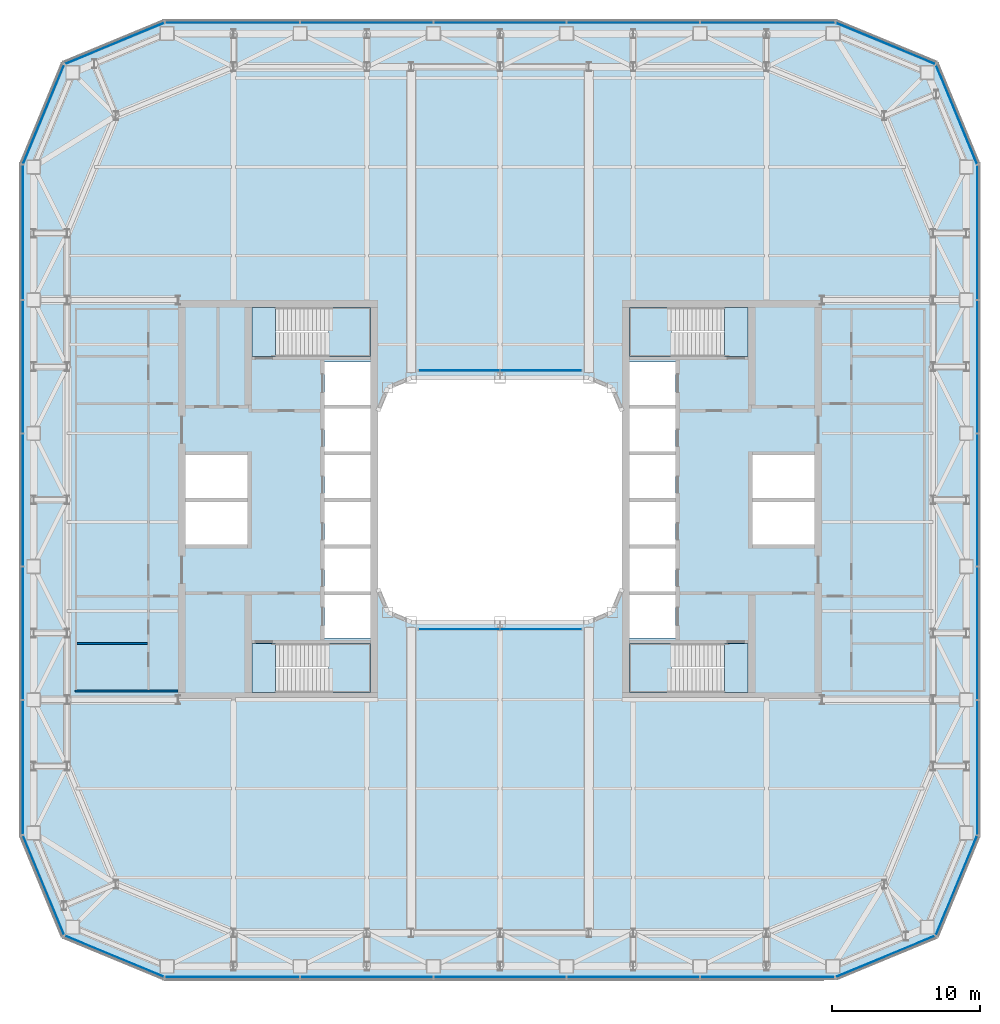
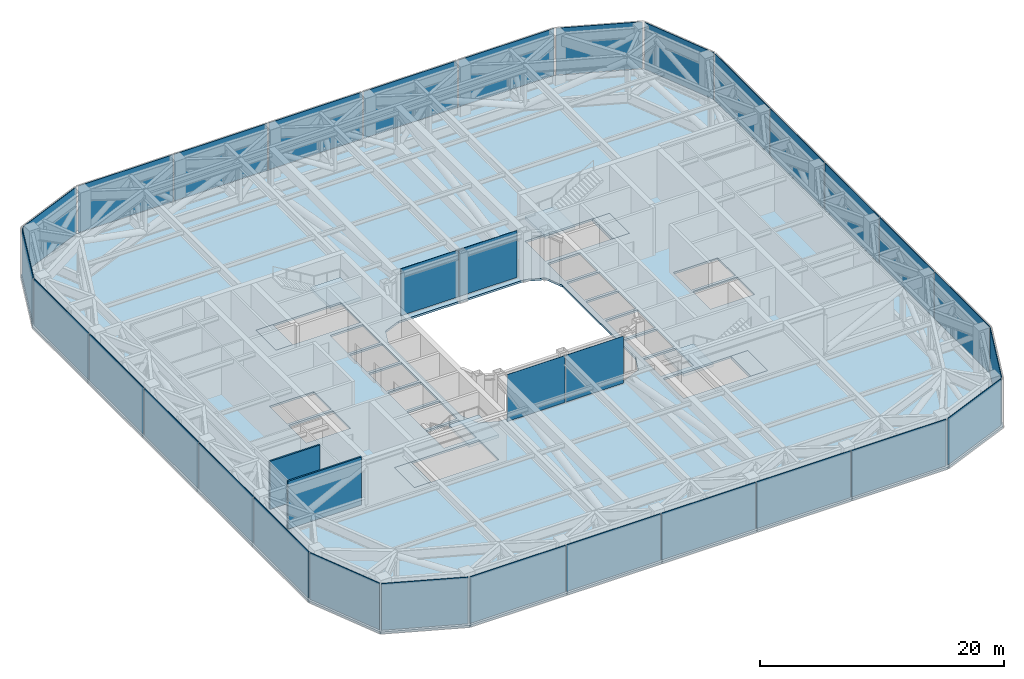
# One storey, part 15 of 33: 32 plates, 9 slabs, 2 walls, 18 elements without a shape of their own.
"""IFC4 building model written with IfcOpenShell, lengths in metres."""

from ifc_helpers import new_model, si_unit, direction, frame, frame_2d, origin, origin_2d, place, context, subcontext, project, spatial, polyline, rectangle, outline, extrude, material, layer, layer_set, type_object, element, aggregate, save


model = new_model("IFC4")

# Units and contexts
model_context = context("Model", 3, precision=1e-05, world=origin(), true_north=direction((0.0, 1.0)))
body_context = subcontext(model_context, "Body", "Model", "MODEL_VIEW")
ifc_project = project(units=[si_unit("LENGTHUNIT", "METRE"), si_unit("AREAUNIT", "SQUARE_METRE"), si_unit("VOLUMEUNIT", "CUBIC_METRE"), si_unit("PLANEANGLEUNIT", "RADIAN"), si_unit("MASSUNIT", "GRAM", prefix="KILO")], contexts=[model_context])

# Site, building, storey
site_placement = place(None, origin())
site = spatial("IfcSite", under=ifc_project, at=site_placement, CompositionType="ELEMENT")
building_placement = place(site_placement, origin())
building = spatial("IfcBuilding", under=site, at=building_placement, Name="Siwar Civic Tower", CompositionType="ELEMENT")
storey_placement = place(building_placement, frame((0.0, 0.0, 94.199951171875)))
storey = spatial("IfcBuildingStorey", under=building, at=storey_placement, Name="L20", CompositionType="ELEMENT", Elevation=94.199951171875)

# Stair, slabs
ifc_material_1 = material(Name="Concrete C40/50", Category="concrete")
stair_type = type_object("IfcStairType", Name="CORE-STAIR", PredefinedType="TWO_STRAIGHT_RUN_STAIR", material=ifc_material_1)
stair_1_placement = place(storey_placement, origin())
stair_1 = element("IfcStair", 1, at=stair_1_placement, inside=storey, type_object=stair_type, Name="Exit stair ST1", PredefinedType="TWO_STRAIGHT_RUN_STAIR")
ifc_material_2 = material(Name="Concrete C40/50", Category="concrete")
ifc_layer_1 = layer(ifc_material_2, 0.300048828125)
ifc_layer_set_1 = layer_set([ifc_layer_1], Name="Concrete C40/50")
slab_type_1 = type_object("IfcSlabType", Name="CORE-STAIR-LANDING", PredefinedType="LANDING", material=ifc_layer_set_1)
slab_1_placement = place(storey_placement, frame((0.0, 0.0, -0.300048828125)))
slab_1 = element("IfcSlab", 2, at=slab_1_placement, type_object=slab_type_1, Name="ST1 landing 1", PredefinedType="LANDING", context=body_context, shape_type="SweptSolid", body=[
    extrude(outline(polyline([(-15.14990234375, 13.0), (-16.75, 13.0), (-16.75, 9.699951171875), (-15.14990234375, 9.699951171875), (-15.14990234375, 13.0)])), origin(), (0.0, 0.0, 1.0), 0.300048828125),
])
slab_2_placement = place(storey_placement, frame((0.0, 0.0, 2.199951171875)))
slab_2 = element("IfcSlab", 3, at=slab_2_placement, type_object=slab_type_1, Name="ST1 landing 2", PredefinedType="LANDING", context=body_context, shape_type="SweptSolid", body=[
    extrude(outline(polyline([(-8.75, 13.0), (-11.580078125, 13.0), (-11.580078125, 9.699951171875), (-8.75, 9.699951171875), (-8.75, 13.0)])), origin(), (0.0, 0.0, 1.0), 0.300048828125),
])
aggregate(stair_1, [slab_1, slab_2])

stair_2_placement = place(storey_placement, origin())
stair_2 = element("IfcStair", 4, at=stair_2_placement, inside=storey, type_object=stair_type, Name="Exit stair ST2", PredefinedType="TWO_STRAIGHT_RUN_STAIR")
slab_3_placement = place(storey_placement, frame((0.0, 0.0, -0.300048828125)))
slab_3 = element("IfcSlab", 5, at=slab_3_placement, type_object=slab_type_1, Name="ST2 landing 1", PredefinedType="LANDING", context=body_context, shape_type="SweptSolid", body=[
    extrude(outline(polyline([(-15.14990234375, -9.699951171875), (-16.75, -9.699951171875), (-16.75, -13.0), (-15.14990234375, -13.0), (-15.14990234375, -9.699951171875)])), origin(), (0.0, 0.0, 1.0), 0.300048828125),
])
slab_4_placement = place(storey_placement, frame((0.0, 0.0, 2.199951171875)))
slab_4 = element("IfcSlab", 6, at=slab_4_placement, type_object=slab_type_1, Name="ST2 landing 2", PredefinedType="LANDING", context=body_context, shape_type="SweptSolid", body=[
    extrude(outline(polyline([(-8.75, -9.699951171875), (-11.580078125, -9.699951171875), (-11.580078125, -13.0), (-8.75, -13.0), (-8.75, -9.699951171875)])), origin(), (0.0, 0.0, 1.0), 0.300048828125),
])
aggregate(stair_2, [slab_3, slab_4])

stair_3_placement = place(storey_placement, origin())
stair_3 = element("IfcStair", 7, at=stair_3_placement, inside=storey, type_object=stair_type, Name="Exit stair ST3", PredefinedType="TWO_STRAIGHT_RUN_STAIR")
slab_5_placement = place(storey_placement, frame((0.0, 0.0, -0.300048828125)))
slab_5 = element("IfcSlab", 8, at=slab_5_placement, type_object=slab_type_1, Name="ST3 landing 1", PredefinedType="LANDING", context=body_context, shape_type="SweptSolid", body=[
    extrude(outline(polyline([(15.14990234375, 9.699951171875), (16.75, 9.699951171875), (16.75, 13.0), (15.14990234375, 13.0), (15.14990234375, 9.699951171875)])), origin(), (0.0, 0.0, 1.0), 0.300048828125),
])
slab_6_placement = place(storey_placement, frame((0.0, 0.0, 2.199951171875)))
slab_6 = element("IfcSlab", 9, at=slab_6_placement, type_object=slab_type_1, Name="ST3 landing 2", PredefinedType="LANDING", context=body_context, shape_type="SweptSolid", body=[
    extrude(outline(polyline([(8.75, 9.699951171875), (11.580078125, 9.699951171875), (11.580078125, 13.0), (8.75, 13.0), (8.75, 9.699951171875)])), origin(), (0.0, 0.0, 1.0), 0.300048828125),
])
aggregate(stair_3, [slab_5, slab_6])

stair_4_placement = place(storey_placement, origin())
stair_4 = element("IfcStair", 10, at=stair_4_placement, inside=storey, type_object=stair_type, Name="Exit stair ST4", PredefinedType="TWO_STRAIGHT_RUN_STAIR")
slab_7_placement = place(storey_placement, frame((0.0, 0.0, -0.300048828125)))
slab_7 = element("IfcSlab", 11, at=slab_7_placement, type_object=slab_type_1, Name="ST4 landing 1", PredefinedType="LANDING", context=body_context, shape_type="SweptSolid", body=[
    extrude(outline(polyline([(15.14990234375, -13.0), (16.75, -13.0), (16.75, -9.699951171875), (15.14990234375, -9.699951171875), (15.14990234375, -13.0)])), origin(), (0.0, 0.0, 1.0), 0.300048828125),
])
slab_8_placement = place(storey_placement, frame((0.0, 0.0, 2.199951171875)))
slab_8 = element("IfcSlab", 12, at=slab_8_placement, type_object=slab_type_1, Name="ST4 landing 2", PredefinedType="LANDING", context=body_context, shape_type="SweptSolid", body=[
    extrude(outline(polyline([(8.75, -13.0), (11.580078125, -13.0), (11.580078125, -9.699951171875), (8.75, -9.699951171875), (8.75, -13.0)])), origin(), (0.0, 0.0, 1.0), 0.300048828125),
])
aggregate(stair_4, [slab_7, slab_8])

# Curtain wall, plates
ifc_material_3 = material(Name="Aluminium and glass", Category="aluminium")
ifc_layer_2 = layer(ifc_material_3, 0.199951171875)
ifc_layer_set_2 = layer_set([ifc_layer_2], Name="Aluminium and glass")
curtain_wall_type_1 = type_object("IfcCurtainWallType", Name="ENV-CW-P", PredefinedType="NOTDEFINED", material=ifc_layer_set_2)
curtain_wall_1_placement = place(storey_placement, origin())
curtain_wall_1 = element("IfcCurtainWall", 13, at=curtain_wall_1_placement, inside=storey, type_object=curtain_wall_type_1, Name="Curtain wall P S", PredefinedType="NOTDEFINED")
ifc_material_4 = material(Name="Aluminium louvre blade", Category="aluminium")
ifc_layer_3 = layer(ifc_material_4, 0.06005859375)
ifc_layer_set_3 = layer_set([ifc_layer_3], Name="Aluminium louvre blade")
plate_type_1 = type_object("IfcPlateType", Name="ENV-PANEL-P", PredefinedType="CURTAIN_PANEL", material=ifc_layer_set_3)
plate_1_placement = place(storey_placement, frame((-18.07470703125, -32.25, 0.1201171875), z_axis=(0.0, 0.0, 1.0), x_axis=(1.0, 0.0, 0.0)))
plate_1 = element("IfcPlate", 14, at=plate_1_placement, type_object=plate_type_1, Name="Curtain panel P S 1", PredefinedType="CURTAIN_PANEL", context=body_context, shape_type="SweptSolid", body=[
    extrude(rectangle(XDim=9.049072265625, YDim=0.06005859375, at=origin_2d()), origin(), (0.0, 0.0, 1.0), 4.679931640625),
])
plate_2_placement = place(storey_placement, frame((-9.0, -32.25, 0.1201171875), z_axis=(0.0, 0.0, 1.0), x_axis=(1.0, 0.0, 0.0)))
plate_2 = element("IfcPlate", 15, at=plate_2_placement, type_object=plate_type_1, Name="Curtain panel P S 2", PredefinedType="CURTAIN_PANEL", context=body_context, shape_type="SweptSolid", body=[
    extrude(rectangle(XDim=8.89990234375, YDim=0.06005859375, at=origin_2d()), origin(), (0.0, 0.0, 1.0), 4.679931640625),
])
plate_3_placement = place(storey_placement, frame((0.0, -32.25, 0.1201171875), z_axis=(0.0, 0.0, 1.0), x_axis=(1.0, 0.0, 0.0)))
plate_3 = element("IfcPlate", 16, at=plate_3_placement, type_object=plate_type_1, Name="Curtain panel P S 3", PredefinedType="CURTAIN_PANEL", context=body_context, shape_type="SweptSolid", body=[
    extrude(rectangle(XDim=8.89990234375, YDim=0.06005859375, at=origin_2d()), origin(), (0.0, 0.0, 1.0), 4.679931640625),
])
plate_4_placement = place(storey_placement, frame((9.0, -32.25, 0.1201171875), z_axis=(0.0, 0.0, 1.0), x_axis=(1.0, 0.0, 0.0)))
plate_4 = element("IfcPlate", 17, at=plate_4_placement, type_object=plate_type_1, Name="Curtain panel P S 4", PredefinedType="CURTAIN_PANEL", context=body_context, shape_type="SweptSolid", body=[
    extrude(rectangle(XDim=8.89990234375, YDim=0.06005859375, at=origin_2d()), origin(), (0.0, 0.0, 1.0), 4.679931640625),
])
plate_5_placement = place(storey_placement, frame((18.03662109375, -32.25, 0.1201171875), z_axis=(0.0, 0.0, 1.0), x_axis=(1.0, 0.0, 0.0)))
plate_5 = element("IfcPlate", 18, at=plate_5_placement, type_object=plate_type_1, Name="Curtain panel P S 5", PredefinedType="CURTAIN_PANEL", context=body_context, shape_type="SweptSolid", body=[
    extrude(rectangle(XDim=8.97314453125, YDim=0.06005859375, at=origin_2d()), origin(), (0.0, 0.0, 1.0), 4.679931640625),
])
aggregate(curtain_wall_1, [plate_1, plate_2, plate_3, plate_4, plate_5])

# Curtain wall, plate
curtain_wall_2_placement = place(storey_placement, origin())
curtain_wall_2 = element("IfcCurtainWall", 19, at=curtain_wall_2_placement, inside=storey, type_object=curtain_wall_type_1, Name="Curtain wall P SE1", PredefinedType="NOTDEFINED")
plate_6_placement = place(storey_placement, frame((26.008544921875, -30.858642578125, 0.1201171875), z_axis=(0.0, 0.0, 1.0), x_axis=(0.923879532511, 0.382683432365, 0.0)))
plate_6 = element("IfcPlate", 20, at=plate_6_placement, type_object=plate_type_1, Name="Curtain panel P SE1 1", PredefinedType="CURTAIN_PANEL", context=body_context, shape_type="SweptSolid", body=[
    extrude(rectangle(XDim=7.172119140625, YDim=0.06005859375, at=origin_2d()), origin(), (0.0, 0.0, 1.0), 4.679931640625),
])
aggregate(curtain_wall_2, [plate_6])

curtain_wall_3_placement = place(storey_placement, origin())
curtain_wall_3 = element("IfcCurtainWall", 21, at=curtain_wall_3_placement, inside=storey, type_object=curtain_wall_type_1, Name="Curtain wall P SE2", PredefinedType="NOTDEFINED")
plate_7_placement = place(storey_placement, frame((30.829345703125, -26.07861328125, 0.1201171875), z_axis=(0.0, 0.0, 1.0), x_axis=(0.382683432365, 0.923879532511, 0.0)))
plate_7 = element("IfcPlate", 22, at=plate_7_placement, type_object=plate_type_1, Name="Curtain panel P SE2 1", PredefinedType="CURTAIN_PANEL", context=body_context, shape_type="SweptSolid", body=[
    extrude(rectangle(XDim=7.172119140625, YDim=0.06005859375, at=origin_2d()), origin(), (0.0, 0.0, 1.0), 4.679931640625),
])
aggregate(curtain_wall_3, [plate_7])

# Curtain wall, plates
curtain_wall_4_placement = place(storey_placement, origin())
curtain_wall_4 = element("IfcCurtainWall", 23, at=curtain_wall_4_placement, inside=storey, type_object=curtain_wall_type_1, Name="Curtain wall P E", PredefinedType="NOTDEFINED")
plate_8_placement = place(storey_placement, frame((32.25, -18.07470703125, 0.1201171875), z_axis=(0.0, 0.0, 1.0), x_axis=(0.0, 1.0, 0.0)))
plate_8 = element("IfcPlate", 24, at=plate_8_placement, type_object=plate_type_1, Name="Curtain panel P E 1", PredefinedType="CURTAIN_PANEL", context=body_context, shape_type="SweptSolid", body=[
    extrude(rectangle(XDim=9.049072265625, YDim=0.06005859375, at=origin_2d()), origin(), (0.0, 0.0, 1.0), 4.679931640625),
])
plate_9_placement = place(storey_placement, frame((32.25, -9.0, 0.1201171875), z_axis=(0.0, 0.0, 1.0), x_axis=(0.0, 1.0, 0.0)))
plate_9 = element("IfcPlate", 25, at=plate_9_placement, type_object=plate_type_1, Name="Curtain panel P E 2", PredefinedType="CURTAIN_PANEL", context=body_context, shape_type="SweptSolid", body=[
    extrude(rectangle(XDim=8.89990234375, YDim=0.06005859375, at=origin_2d()), origin(), (0.0, 0.0, 1.0), 4.679931640625),
])
plate_10_placement = place(storey_placement, frame((32.25, 0.0, 0.1201171875), z_axis=(0.0, 0.0, 1.0), x_axis=(0.0, 1.0, 0.0)))
plate_10 = element("IfcPlate", 26, at=plate_10_placement, type_object=plate_type_1, Name="Curtain panel P E 3", PredefinedType="CURTAIN_PANEL", context=body_context, shape_type="SweptSolid", body=[
    extrude(rectangle(XDim=8.89990234375, YDim=0.06005859375, at=origin_2d()), origin(), (0.0, 0.0, 1.0), 4.679931640625),
])
plate_11_placement = place(storey_placement, frame((32.25, 9.0, 0.1201171875), z_axis=(0.0, 0.0, 1.0), x_axis=(0.0, 1.0, 0.0)))
plate_11 = element("IfcPlate", 27, at=plate_11_placement, type_object=plate_type_1, Name="Curtain panel P E 4", PredefinedType="CURTAIN_PANEL", context=body_context, shape_type="SweptSolid", body=[
    extrude(rectangle(XDim=8.89990234375, YDim=0.06005859375, at=origin_2d()), origin(), (0.0, 0.0, 1.0), 4.679931640625),
])
plate_12_placement = place(storey_placement, frame((32.25, 18.03662109375, 0.1201171875), z_axis=(0.0, 0.0, 1.0), x_axis=(0.0, 1.0, 0.0)))
plate_12 = element("IfcPlate", 28, at=plate_12_placement, type_object=plate_type_1, Name="Curtain panel P E 5", PredefinedType="CURTAIN_PANEL", context=body_context, shape_type="SweptSolid", body=[
    extrude(rectangle(XDim=8.97314453125, YDim=0.06005859375, at=origin_2d()), origin(), (0.0, 0.0, 1.0), 4.679931640625),
])
aggregate(curtain_wall_4, [plate_8, plate_9, plate_10, plate_11, plate_12])

# Curtain wall, plate
curtain_wall_5_placement = place(storey_placement, origin())
curtain_wall_5 = element("IfcCurtainWall", 29, at=curtain_wall_5_placement, inside=storey, type_object=curtain_wall_type_1, Name="Curtain wall P NE1", PredefinedType="NOTDEFINED")
plate_13_placement = place(storey_placement, frame((30.858642578125, 26.008544921875, 0.1201171875), z_axis=(0.0, 0.0, 1.0), x_axis=(-0.382683432365, 0.923879532511, 0.0)))
plate_13 = element("IfcPlate", 30, at=plate_13_placement, type_object=plate_type_1, Name="Curtain panel P NE1 1", PredefinedType="CURTAIN_PANEL", context=body_context, shape_type="SweptSolid", body=[
    extrude(rectangle(XDim=7.172119140625, YDim=0.06005859375, at=origin_2d()), origin(), (0.0, 0.0, 1.0), 4.679931640625),
])
aggregate(curtain_wall_5, [plate_13])

curtain_wall_6_placement = place(storey_placement, origin())
curtain_wall_6 = element("IfcCurtainWall", 31, at=curtain_wall_6_placement, inside=storey, type_object=curtain_wall_type_1, Name="Curtain wall P NE2", PredefinedType="NOTDEFINED")
plate_14_placement = place(storey_placement, frame((26.07861328125, 30.829345703125, 0.1201171875), z_axis=(0.0, 0.0, 1.0), x_axis=(-0.923879532511, 0.382683432365, 0.0)))
plate_14 = element("IfcPlate", 32, at=plate_14_placement, type_object=plate_type_1, Name="Curtain panel P NE2 1", PredefinedType="CURTAIN_PANEL", context=body_context, shape_type="SweptSolid", body=[
    extrude(rectangle(XDim=7.172119140625, YDim=0.06005859375, at=origin_2d()), origin(), (0.0, 0.0, 1.0), 4.679931640625),
])
aggregate(curtain_wall_6, [plate_14])

# Curtain wall, plates
curtain_wall_7_placement = place(storey_placement, origin())
curtain_wall_7 = element("IfcCurtainWall", 33, at=curtain_wall_7_placement, inside=storey, type_object=curtain_wall_type_1, Name="Curtain wall P N", PredefinedType="NOTDEFINED")
plate_15_placement = place(storey_placement, frame((18.07470703125, 32.25, 0.1201171875), z_axis=(0.0, 0.0, 1.0), x_axis=(-1.0, 0.0, 0.0)))
plate_15 = element("IfcPlate", 34, at=plate_15_placement, type_object=plate_type_1, Name="Curtain panel P N 1", PredefinedType="CURTAIN_PANEL", context=body_context, shape_type="SweptSolid", body=[
    extrude(rectangle(XDim=9.049072265625, YDim=0.06005859375, at=origin_2d()), origin(), (0.0, 0.0, 1.0), 4.679931640625),
])
plate_16_placement = place(storey_placement, frame((9.0, 32.25, 0.1201171875), z_axis=(0.0, 0.0, 1.0), x_axis=(-1.0, 0.0, 0.0)))
plate_16 = element("IfcPlate", 35, at=plate_16_placement, type_object=plate_type_1, Name="Curtain panel P N 2", PredefinedType="CURTAIN_PANEL", context=body_context, shape_type="SweptSolid", body=[
    extrude(rectangle(XDim=8.89990234375, YDim=0.06005859375, at=origin_2d()), origin(), (0.0, 0.0, 1.0), 4.679931640625),
])
plate_17_placement = place(storey_placement, frame((0.0, 32.25, 0.1201171875), z_axis=(0.0, 0.0, 1.0), x_axis=(-1.0, 0.0, 0.0)))
plate_17 = element("IfcPlate", 36, at=plate_17_placement, type_object=plate_type_1, Name="Curtain panel P N 3", PredefinedType="CURTAIN_PANEL", context=body_context, shape_type="SweptSolid", body=[
    extrude(rectangle(XDim=8.89990234375, YDim=0.06005859375, at=origin_2d()), origin(), (0.0, 0.0, 1.0), 4.679931640625),
])
plate_18_placement = place(storey_placement, frame((-9.0, 32.25, 0.1201171875), z_axis=(0.0, 0.0, 1.0), x_axis=(-1.0, 0.0, 0.0)))
plate_18 = element("IfcPlate", 37, at=plate_18_placement, type_object=plate_type_1, Name="Curtain panel P N 4", PredefinedType="CURTAIN_PANEL", context=body_context, shape_type="SweptSolid", body=[
    extrude(rectangle(XDim=8.89990234375, YDim=0.06005859375, at=origin_2d()), origin(), (0.0, 0.0, 1.0), 4.679931640625),
])
plate_19_placement = place(storey_placement, frame((-18.03662109375, 32.25, 0.1201171875), z_axis=(0.0, 0.0, 1.0), x_axis=(-1.0, 0.0, 0.0)))
plate_19 = element("IfcPlate", 38, at=plate_19_placement, type_object=plate_type_1, Name="Curtain panel P N 5", PredefinedType="CURTAIN_PANEL", context=body_context, shape_type="SweptSolid", body=[
    extrude(rectangle(XDim=8.97314453125, YDim=0.06005859375, at=origin_2d()), origin(), (0.0, 0.0, 1.0), 4.679931640625),
])
aggregate(curtain_wall_7, [plate_15, plate_16, plate_17, plate_18, plate_19])

# Curtain wall, plate
curtain_wall_8_placement = place(storey_placement, origin())
curtain_wall_8 = element("IfcCurtainWall", 39, at=curtain_wall_8_placement, inside=storey, type_object=curtain_wall_type_1, Name="Curtain wall P NW1", PredefinedType="NOTDEFINED")
plate_20_placement = place(storey_placement, frame((-26.008544921875, 30.858642578125, 0.1201171875), z_axis=(0.0, 0.0, 1.0), x_axis=(-0.923879532511, -0.382683432365, 0.0)))
plate_20 = element("IfcPlate", 40, at=plate_20_placement, type_object=plate_type_1, Name="Curtain panel P NW1 1", PredefinedType="CURTAIN_PANEL", context=body_context, shape_type="SweptSolid", body=[
    extrude(rectangle(XDim=7.172119140625, YDim=0.06005859375, at=origin_2d()), origin(), (0.0, 0.0, 1.0), 4.679931640625),
])
aggregate(curtain_wall_8, [plate_20])

curtain_wall_9_placement = place(storey_placement, origin())
curtain_wall_9 = element("IfcCurtainWall", 41, at=curtain_wall_9_placement, inside=storey, type_object=curtain_wall_type_1, Name="Curtain wall P NW2", PredefinedType="NOTDEFINED")
plate_21_placement = place(storey_placement, frame((-30.829345703125, 26.07861328125, 0.1201171875), z_axis=(0.0, 0.0, 1.0), x_axis=(-0.382683432365, -0.923879532511, 0.0)))
plate_21 = element("IfcPlate", 42, at=plate_21_placement, type_object=plate_type_1, Name="Curtain panel P NW2 1", PredefinedType="CURTAIN_PANEL", context=body_context, shape_type="SweptSolid", body=[
    extrude(rectangle(XDim=7.172119140625, YDim=0.06005859375, at=origin_2d()), origin(), (0.0, 0.0, 1.0), 4.679931640625),
])
aggregate(curtain_wall_9, [plate_21])

# Curtain wall, plates
curtain_wall_10_placement = place(storey_placement, origin())
curtain_wall_10 = element("IfcCurtainWall", 43, at=curtain_wall_10_placement, inside=storey, type_object=curtain_wall_type_1, Name="Curtain wall P W", PredefinedType="NOTDEFINED")
plate_22_placement = place(storey_placement, frame((-32.25, 18.07470703125, 0.1201171875), z_axis=(0.0, 0.0, 1.0), x_axis=(0.0, -1.0, 0.0)))
plate_22 = element("IfcPlate", 44, at=plate_22_placement, type_object=plate_type_1, Name="Curtain panel P W 1", PredefinedType="CURTAIN_PANEL", context=body_context, shape_type="SweptSolid", body=[
    extrude(rectangle(XDim=9.049072265625, YDim=0.06005859375, at=origin_2d()), origin(), (0.0, 0.0, 1.0), 4.679931640625),
])
plate_23_placement = place(storey_placement, frame((-32.25, 9.0, 0.1201171875), z_axis=(0.0, 0.0, 1.0), x_axis=(0.0, -1.0, 0.0)))
plate_23 = element("IfcPlate", 45, at=plate_23_placement, type_object=plate_type_1, Name="Curtain panel P W 2", PredefinedType="CURTAIN_PANEL", context=body_context, shape_type="SweptSolid", body=[
    extrude(rectangle(XDim=8.89990234375, YDim=0.06005859375, at=origin_2d()), origin(), (0.0, 0.0, 1.0), 4.679931640625),
])
plate_24_placement = place(storey_placement, frame((-32.25, 0.0, 0.1201171875), z_axis=(0.0, 0.0, 1.0), x_axis=(0.0, -1.0, 0.0)))
plate_24 = element("IfcPlate", 46, at=plate_24_placement, type_object=plate_type_1, Name="Curtain panel P W 3", PredefinedType="CURTAIN_PANEL", context=body_context, shape_type="SweptSolid", body=[
    extrude(rectangle(XDim=8.89990234375, YDim=0.06005859375, at=origin_2d()), origin(), (0.0, 0.0, 1.0), 4.679931640625),
])
plate_25_placement = place(storey_placement, frame((-32.25, -9.0, 0.1201171875), z_axis=(0.0, 0.0, 1.0), x_axis=(0.0, -1.0, 0.0)))
plate_25 = element("IfcPlate", 47, at=plate_25_placement, type_object=plate_type_1, Name="Curtain panel P W 4", PredefinedType="CURTAIN_PANEL", context=body_context, shape_type="SweptSolid", body=[
    extrude(rectangle(XDim=8.89990234375, YDim=0.06005859375, at=origin_2d()), origin(), (0.0, 0.0, 1.0), 4.679931640625),
])
plate_26_placement = place(storey_placement, frame((-32.25, -18.03662109375, 0.1201171875), z_axis=(0.0, 0.0, 1.0), x_axis=(0.0, -1.0, 0.0)))
plate_26 = element("IfcPlate", 48, at=plate_26_placement, type_object=plate_type_1, Name="Curtain panel P W 5", PredefinedType="CURTAIN_PANEL", context=body_context, shape_type="SweptSolid", body=[
    extrude(rectangle(XDim=8.97314453125, YDim=0.06005859375, at=origin_2d()), origin(), (0.0, 0.0, 1.0), 4.679931640625),
])
aggregate(curtain_wall_10, [plate_22, plate_23, plate_24, plate_25, plate_26])

# Curtain wall, plate
curtain_wall_11_placement = place(storey_placement, origin())
curtain_wall_11 = element("IfcCurtainWall", 49, at=curtain_wall_11_placement, inside=storey, type_object=curtain_wall_type_1, Name="Curtain wall P SW1", PredefinedType="NOTDEFINED")
plate_27_placement = place(storey_placement, frame((-30.858642578125, -26.008544921875, 0.1201171875), z_axis=(0.0, 0.0, 1.0), x_axis=(0.382683432365, -0.923879532511, 0.0)))
plate_27 = element("IfcPlate", 50, at=plate_27_placement, type_object=plate_type_1, Name="Curtain panel P SW1 1", PredefinedType="CURTAIN_PANEL", context=body_context, shape_type="SweptSolid", body=[
    extrude(rectangle(XDim=7.172119140625, YDim=0.06005859375, at=origin_2d()), origin(), (0.0, 0.0, 1.0), 4.679931640625),
])
aggregate(curtain_wall_11, [plate_27])

curtain_wall_12_placement = place(storey_placement, origin())
curtain_wall_12 = element("IfcCurtainWall", 51, at=curtain_wall_12_placement, inside=storey, type_object=curtain_wall_type_1, Name="Curtain wall P SW2", PredefinedType="NOTDEFINED")
plate_28_placement = place(storey_placement, frame((-26.07861328125, -30.829345703125, 0.1201171875), z_axis=(0.0, 0.0, 1.0), x_axis=(0.923879532511, -0.382683432365, 0.0)))
plate_28 = element("IfcPlate", 52, at=plate_28_placement, type_object=plate_type_1, Name="Curtain panel P SW2 1", PredefinedType="CURTAIN_PANEL", context=body_context, shape_type="SweptSolid", body=[
    extrude(rectangle(XDim=7.172119140625, YDim=0.06005859375, at=origin_2d()), origin(), (0.0, 0.0, 1.0), 4.679931640625),
])
aggregate(curtain_wall_12, [plate_28])

# Curtain wall, plates
ifc_material_5 = material(Name="Aluminium and glass", Category="aluminium")
ifc_layer_4 = layer(ifc_material_5, 0.179931640625)
ifc_layer_set_4 = layer_set([ifc_layer_4], Name="Aluminium and glass")
curtain_wall_type_2 = type_object("IfcCurtainWallType", Name="ENV-CW-W", PredefinedType="NOTDEFINED", material=ifc_layer_set_4)
curtain_wall_13_placement = place(storey_placement, origin())
curtain_wall_13 = element("IfcCurtainWall", 53, at=curtain_wall_13_placement, inside=storey, type_object=curtain_wall_type_2, Name="Curtain wall W WS-00", PredefinedType="NOTDEFINED")
ifc_material_6 = material(Name="Glass clear laminated", Category="glass")
ifc_layer_5 = layer(ifc_material_6, 0.031982421875)
ifc_layer_set_5 = layer_set([ifc_layer_5], Name="Glass clear laminated")
plate_type_2 = type_object("IfcPlateType", Name="ENV-PANEL-W", PredefinedType="CURTAIN_PANEL", material=ifc_layer_set_5)
plate_29_placement = place(storey_placement, frame((-2.767333984375, -8.735107421875, 0.10009765625), z_axis=(0.0, 0.0, 1.0), x_axis=(1.0, 0.0, 0.0)))
plate_29 = element("IfcPlate", 54, at=plate_29_placement, type_object=plate_type_2, Name="Curtain panel W WS-00 1", PredefinedType="CURTAIN_PANEL", context=body_context, shape_type="SweptSolid", body=[
    extrude(rectangle(XDim=5.474609375, YDim=0.031982421875, at=origin_2d()), origin(), (0.0, 0.0, 1.0), 4.699951171875),
])
plate_30_placement = place(storey_placement, frame((2.767333984375, -8.735107421875, 0.10009765625), z_axis=(0.0, 0.0, 1.0), x_axis=(1.0, 0.0, 0.0)))
plate_30 = element("IfcPlate", 55, at=plate_30_placement, type_object=plate_type_2, Name="Curtain panel W WS-00 2", PredefinedType="CURTAIN_PANEL", context=body_context, shape_type="SweptSolid", body=[
    extrude(rectangle(XDim=5.474609375, YDim=0.031982421875, at=origin_2d()), origin(), (0.0, 0.0, 1.0), 4.699951171875),
])
aggregate(curtain_wall_13, [plate_29, plate_30])

curtain_wall_14_placement = place(storey_placement, origin())
curtain_wall_14 = element("IfcCurtainWall", 56, at=curtain_wall_14_placement, inside=storey, type_object=curtain_wall_type_2, Name="Curtain wall W WN-00", PredefinedType="NOTDEFINED")
plate_31_placement = place(storey_placement, frame((2.767333984375, 8.735107421875, 0.10009765625), z_axis=(0.0, 0.0, 1.0), x_axis=(-1.0, 0.0, 0.0)))
plate_31 = element("IfcPlate", 57, at=plate_31_placement, type_object=plate_type_2, Name="Curtain panel W WN-00 1", PredefinedType="CURTAIN_PANEL", context=body_context, shape_type="SweptSolid", body=[
    extrude(rectangle(XDim=5.474609375, YDim=0.031982421875, at=origin_2d()), origin(), (0.0, 0.0, 1.0), 4.699951171875),
])
plate_32_placement = place(storey_placement, frame((-2.767333984375, 8.735107421875, 0.10009765625), z_axis=(0.0, 0.0, 1.0), x_axis=(-1.0, 0.0, 0.0)))
plate_32 = element("IfcPlate", 58, at=plate_32_placement, type_object=plate_type_2, Name="Curtain panel W WN-00 2", PredefinedType="CURTAIN_PANEL", context=body_context, shape_type="SweptSolid", body=[
    extrude(rectangle(XDim=5.474609375, YDim=0.031982421875, at=origin_2d()), origin(), (0.0, 0.0, 1.0), 4.699951171875),
])
aggregate(curtain_wall_14, [plate_31, plate_32])

# Slab
ifc_material_7 = material(Name="Concrete C40/50", Category="concrete")
ifc_layer_6 = layer(ifc_material_7, 0.199951171875)
ifc_layer_set_6 = layer_set([ifc_layer_6], Name="Concrete C40/50")
slab_type_2 = type_object("IfcSlabType", Name="STR-FLOOR-DECK-200", PredefinedType="FLOOR", material=ifc_layer_set_6)
slab_9_placement = place(storey_placement, frame((0.0, 0.0, -0.199951171875)))
element("IfcSlab", 59, at=slab_9_placement, inside=storey, type_object=slab_type_2, Name="L20/slab/1", PredefinedType="FLOOR", context=body_context, shape_type="SweptSolid", body=[
    extrude(outline(polyline([(-22.669189453125, -32.35009765625), (22.669189453125, -32.35009765625), (29.514404296875, -29.514404296875), (32.35009765625, -22.669189453125), (32.35009765625, 22.669189453125), (29.514404296875, 29.514404296875), (22.669189453125, 32.35009765625), (-22.669189453125, 32.35009765625), (-29.514404296875, 29.514404296875), (-32.35009765625, 22.669189453125), (-32.35009765625, -22.669189453125), (-29.514404296875, -29.514404296875), (-22.669189453125, -32.35009765625)]), holes=[polyline([(21.25, 3.02490234375), (21.25, 0.125), (17.050048828125, 0.125), (17.050048828125, 3.02490234375), (21.25, 3.02490234375)]), polyline([(17.050048828125, -0.125), (21.25, -0.125), (21.25, -3.02490234375), (17.050048828125, -3.02490234375), (17.050048828125, -0.125)]), polyline([(16.75, 13.0), (16.75, 9.699951171875), (8.75, 9.699951171875), (8.75, 13.0), (16.75, 13.0)]), polyline([(8.75, -9.699951171875), (16.75, -9.699951171875), (16.75, -13.0), (8.75, -13.0), (8.75, -9.699951171875)]), polyline([(11.85009765625, 9.324951171875), (11.85009765625, 6.425048828125), (8.75, 6.425048828125), (8.75, 9.324951171875), (11.85009765625, 9.324951171875)]), polyline([(11.85009765625, 3.02490234375), (11.85009765625, 0.125), (8.75, 0.125), (8.75, 3.02490234375), (11.85009765625, 3.02490234375)]), polyline([(11.85009765625, -0.125), (11.85009765625, -3.02490234375), (8.75, -3.02490234375), (8.75, -0.125), (11.85009765625, -0.125)]), polyline([(11.85009765625, -3.27490234375), (11.85009765625, -6.175048828125), (8.75, -6.175048828125), (8.75, -3.27490234375), (11.85009765625, -3.27490234375)]), polyline([(8.75, 6.175048828125), (11.85009765625, 6.175048828125), (11.85009765625, 3.27490234375), (8.75, 3.27490234375), (8.75, 6.175048828125)]), polyline([(8.75, -6.425048828125), (11.85009765625, -6.425048828125), (11.85009765625, -9.324951171875), (8.75, -9.324951171875), (8.75, -6.425048828125)]), polyline([(-6.0, 8.25), (6.0, 8.25), (7.591064453125, 7.591064453125), (8.25, 6.0), (8.25, -6.0), (7.591064453125, -7.591064453125), (6.0, -8.25), (-6.0, -8.25), (-7.591064453125, -7.591064453125), (-8.25, -6.0), (-8.25, 6.0), (-7.591064453125, 7.591064453125), (-6.0, 8.25)]), polyline([(-8.75, 9.699951171875), (-16.75, 9.699951171875), (-16.75, 13.0), (-8.75, 13.0), (-8.75, 9.699951171875)]), polyline([(-8.75, 0.125), (-11.85009765625, 0.125), (-11.85009765625, 3.02490234375), (-8.75, 3.02490234375), (-8.75, 0.125)]), polyline([(-8.75, -6.175048828125), (-11.85009765625, -6.175048828125), (-11.85009765625, -3.27490234375), (-8.75, -3.27490234375), (-8.75, -6.175048828125)]), polyline([(-8.75, -9.324951171875), (-11.85009765625, -9.324951171875), (-11.85009765625, -6.425048828125), (-8.75, -6.425048828125), (-8.75, -9.324951171875)]), polyline([(-8.75, -13.0), (-16.75, -13.0), (-16.75, -9.699951171875), (-8.75, -9.699951171875), (-8.75, -13.0)]), polyline([(-11.85009765625, 6.425048828125), (-11.85009765625, 9.324951171875), (-8.75, 9.324951171875), (-8.75, 6.425048828125), (-11.85009765625, 6.425048828125)]), polyline([(-11.85009765625, 3.27490234375), (-11.85009765625, 6.175048828125), (-8.75, 6.175048828125), (-8.75, 3.27490234375), (-11.85009765625, 3.27490234375)]), polyline([(-11.85009765625, -3.02490234375), (-11.85009765625, -0.125), (-8.75, -0.125), (-8.75, -3.02490234375), (-11.85009765625, -3.02490234375)]), polyline([(-21.25, -3.02490234375), (-21.25, -0.125), (-17.050048828125, -0.125), (-17.050048828125, -3.02490234375), (-21.25, -3.02490234375)]), polyline([(-17.050048828125, 0.125), (-21.25, 0.125), (-21.25, 3.02490234375), (-17.050048828125, 3.02490234375), (-17.050048828125, 0.125)])]), origin(), (0.0, 0.0, 1.0), 0.199951171875),
])

# Walls
ifc_material_8 = material(Name="Gypsum board on steel studs", Category="steel")
ifc_layer_7 = layer(ifc_material_8, 0.14990234375)
ifc_layer_set_7 = layer_set([ifc_layer_7], Name="Gypsum board on steel studs")
wall_type = type_object("IfcWallType", Name="COMPARTMENT PARTITION 150 EI 60", PredefinedType="PARTITIONING", material=ifc_layer_set_7)
wall_1_placement = place(storey_placement, frame((-28.72509765625, -12.89990234375, 0.0), z_axis=(0.0, 0.0, 1.0), x_axis=(1.0, 0.0, 0.0)))
element("IfcWall", 60, at=wall_1_placement, inside=storey, type_object=wall_type, Name="L20/wall/P01", PredefinedType="PARTITIONING", context=body_context, shape_type="SweptSolid", body=[
    extrude(rectangle(XDim=6.97509765625, YDim=0.14990234375, at=frame_2d((3.487548828125, 0.0))), origin(), (0.0, 0.0, 1.0), 4.800048828125),
])
wall_2_placement = place(storey_placement, frame((-28.574951171875, -9.699951171875, 0.0), z_axis=(0.0, 0.0, 1.0), x_axis=(1.0, 0.0, 0.0)))
element("IfcWall", 61, at=wall_2_placement, inside=storey, type_object=wall_type, Name="L20/wall/P03", PredefinedType="PARTITIONING", context=body_context, shape_type="SweptSolid", body=[
    extrude(rectangle(XDim=4.75, YDim=0.14990234375, at=frame_2d((2.375, 0.0))), origin(), (0.0, 0.0, 1.0), 4.800048828125),
])

save(model, "model.ifc")
